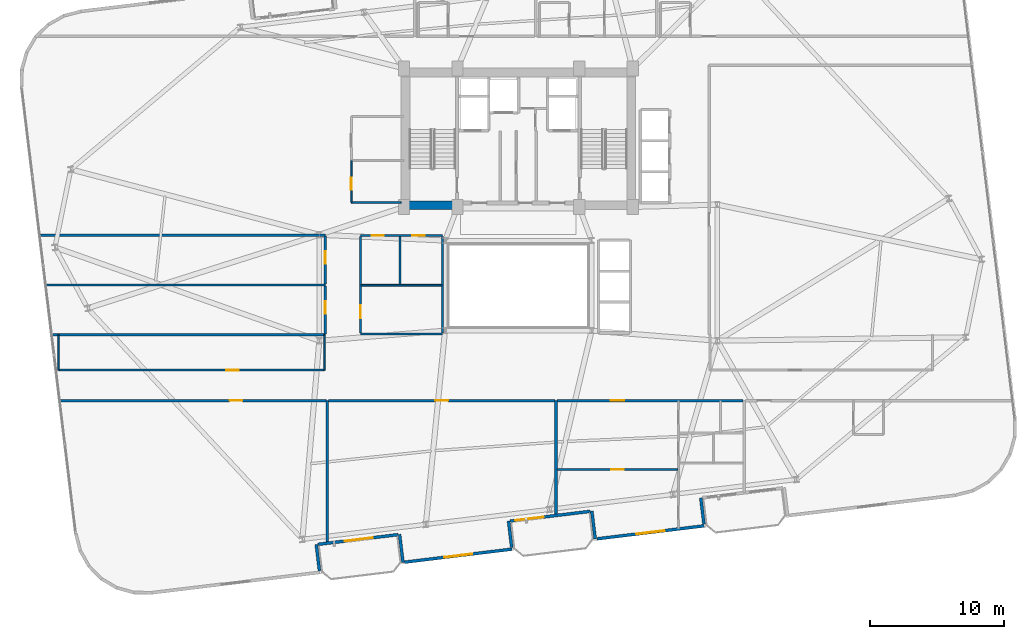
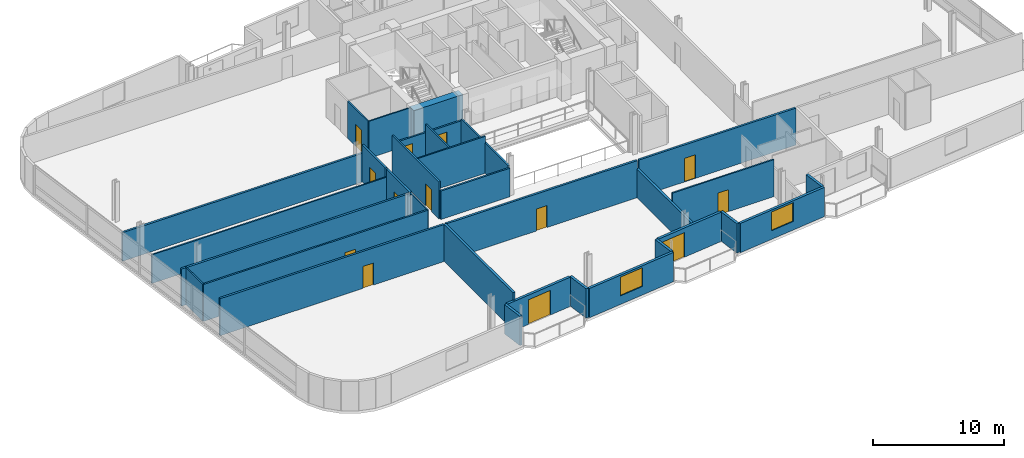
# One storey, part 14 of 22: 32 walls, 13 doors, 2 windows, 15 openings.
"""IFC4 building model written with IfcOpenShell, lengths in metres."""

from ifc_helpers import new_model, si_unit, direction, frame, frame_2d, origin, place, context, subcontext, project, spatial, rectangle, extrude, material, layer, layer_set, type_object, element, fill, save


model = new_model("IFC4")

# Units and contexts
model_context = context("Model", 3, precision=1e-05, world=origin(), true_north=direction((0.0, 1.0)))
body_context = subcontext(model_context, "Body", "Model", "MODEL_VIEW")
ifc_project = project(units=[si_unit("LENGTHUNIT", "METRE"), si_unit("AREAUNIT", "SQUARE_METRE"), si_unit("VOLUMEUNIT", "CUBIC_METRE"), si_unit("PLANEANGLEUNIT", "RADIAN"), si_unit("MASSUNIT", "GRAM", prefix="KILO")], contexts=[model_context])

# Site, building, storey
site_placement = place(None, origin())
site = spatial("IfcSite", under=ifc_project, at=site_placement, CompositionType="ELEMENT")
building_placement = place(site_placement, origin())
building = spatial("IfcBuilding", under=site, at=building_placement, Name="Varnelok Gate Tower", CompositionType="ELEMENT")
storey_placement = place(building_placement, frame((0.0, 0.0, 178.300048828125)))
storey = spatial("IfcBuildingStorey", under=building, at=storey_placement, Name="L45", CompositionType="ELEMENT", Elevation=178.300048828125)

# Wall, opening, door
ifc_material_1 = material(Name="Concrete C45/55", Category="concrete")
ifc_layer_1 = layer(ifc_material_1, 0.219970703125)
ifc_layer_set_1 = layer_set([ifc_layer_1], Name="Concrete C45/55")
wall_type_1 = type_object("IfcWallType", Name="EW-BALC-220", PredefinedType="SOLIDWALL", material=ifc_layer_set_1)
wall_1_placement = place(storey_placement, frame((30.25244140625, 4.381103515625, 0.0), z_axis=(0.0, 0.0, 1.0), x_axis=(-0.992735402148, -0.120318000826, 0.0)))
wall_1 = element("IfcWall", 1, at=wall_1_placement, inside=storey, type_object=wall_type_1, Name="L45 South Terrace Envelope Wall 1", PredefinedType="SOLIDWALL", context=body_context, shape_type="SweptSolid", body=[
    extrude(rectangle(XDim=6.000244140625, YDim=0.219970703125, at=frame_2d((3.0, 0.0))), origin(), (0.0, 0.0, 1.0), 2.72998046875),
])
opening_1_placement = place(wall_1_placement, frame((1.887939453125, 0.0, 0.0)))
opening_1 = element("IfcOpeningElement", 2, at=opening_1_placement, cuts=wall_1, Name="Opening BD-2", PredefinedType="OPENING", context=body_context, shape_type="SweptSolid", body=[
    extrude(rectangle(XDim=2.10009765625, YDim=2.300048828125, at=frame_2d((1.050048828125, 1.14990234375))), frame((0.0, 0.119873046875, 0.0), z_axis=(0.0, -1.0, 0.0), x_axis=(1.0, 0.0, 0.0)), (0.0, 0.0, 1.0), 0.239990234375),
])
ifc_material_2 = material(Name="Anodized Aluminum Alloy 6063-T6", Category="aluminium")
door_type_1 = type_object("IfcDoorType", Name="DR-EXT-SLID2100", OperationType="SLIDING_TO_LEFT", PredefinedType="DOOR", material=ifc_material_2)
door_1_placement = place(opening_1_placement, origin())
door_1 = element("IfcDoor", 3, at=door_1_placement, inside=storey, type_object=door_type_1, Name="L45 South Balcony Glazed Door 1", OperationType="SLIDING_TO_LEFT", OverallHeight=2.300048828125, OverallWidth=2.10009765625, PredefinedType="DOOR", context=body_context, shape_type="SweptSolid", body=[
    extrude(rectangle(XDim=2.10009765625, YDim=2.300048828125, at=frame_2d((1.050048828125, 1.14990234375))), frame((0.0, 0.02490234375, 0.0), z_axis=(0.0, -1.0, 0.0), x_axis=(1.0, 0.0, 0.0)), (0.0, 0.0, 1.0), 0.050048828125),
])
fill(opening_1, door_1)

wall_2_placement = place(storey_placement, frame((44.5478515625, 6.114013671875, 0.0), z_axis=(0.0, 0.0, 1.0), x_axis=(-0.992735402148, -0.120318000826, 0.0)))
wall_2 = element("IfcWall", 4, at=wall_2_placement, inside=storey, type_object=wall_type_1, Name="L45 South Terrace Envelope Wall 2", PredefinedType="SOLIDWALL", context=body_context, shape_type="SweptSolid", body=[
    extrude(rectangle(XDim=6.000244140625, YDim=0.219970703125, at=frame_2d((3.0, 0.0))), origin(), (0.0, 0.0, 1.0), 2.72998046875),
])
opening_2_placement = place(wall_2_placement, frame((3.5, 0.0, 0.0)))
opening_2 = element("IfcOpeningElement", 5, at=opening_2_placement, cuts=wall_2, Name="Opening BD-2", PredefinedType="OPENING", context=body_context, shape_type="SweptSolid", body=[
    extrude(rectangle(XDim=2.10009765625, YDim=2.300048828125, at=frame_2d((1.050048828125, 1.14990234375))), frame((0.0, 0.119873046875, 0.0), z_axis=(0.0, -1.0, 0.0), x_axis=(1.0, 0.0, 0.0)), (0.0, 0.0, 1.0), 0.239990234375),
])
door_2_placement = place(opening_2_placement, origin())
door_2 = element("IfcDoor", 6, at=door_2_placement, inside=storey, type_object=door_type_1, Name="L45 South Balcony Glazed Door 2", OperationType="SLIDING_TO_LEFT", OverallHeight=2.300048828125, OverallWidth=2.10009765625, PredefinedType="DOOR", context=body_context, shape_type="SweptSolid", body=[
    extrude(rectangle(XDim=2.10009765625, YDim=2.300048828125, at=frame_2d((1.050048828125, 1.14990234375))), frame((0.0, 0.02490234375, 0.0), z_axis=(0.0, -1.0, 0.0), x_axis=(1.0, 0.0, 0.0)), (0.0, 0.0, 1.0), 0.050048828125),
])
fill(opening_2, door_2)

# Walls
wall_3_placement = place(storey_placement, frame((24.413330078125, 1.694091796875, 0.0), z_axis=(0.0, 0.0, 1.0), x_axis=(-0.120290754542, 0.992738703976, 0.0)))
element("IfcWall", 7, at=wall_3_placement, inside=storey, type_object=wall_type_1, Name="L45 Perimeter Facade Closure Wall 8", PredefinedType="SOLIDWALL", context=body_context, shape_type="SweptSolid", body=[
    extrude(rectangle(XDim=1.974853515625, YDim=0.219970703125, at=frame_2d((0.9873046875, 0.0))), origin(), (0.0, 0.0, 1.0), 2.72998046875),
])
wall_4_placement = place(storey_placement, frame((30.370361328125, 4.405517578125, 0.0), z_axis=(0.0, 0.0, 1.0), x_axis=(0.120327895535, -0.992734202874, 0.0)))
element("IfcWall", 8, at=wall_4_placement, inside=storey, type_object=wall_type_1, Name="L45 Perimeter Facade Closure Wall 9", PredefinedType="SOLIDWALL", context=body_context, shape_type="SweptSolid", body=[
    extrude(rectangle(XDim=2.099853515625, YDim=0.219970703125, at=frame_2d((1.0498046875, 0.0))), origin(), (0.0, 0.0, 1.0), 2.72998046875),
])

# Wall, opening, window
wall_5_placement = place(storey_placement, frame((30.747314453125, 2.335693359375, 0.0), z_axis=(0.0, 0.0, 1.0), x_axis=(0.992731032022, 0.120354052946, 0.0)))
wall_5 = element("IfcWall", 9, at=wall_5_placement, inside=storey, type_object=wall_type_1, Name="L45 Perimeter Facade Closure Wall 10", PredefinedType="SOLIDWALL", context=body_context, shape_type="SweptSolid", body=[
    extrude(rectangle(XDim=8.034912109375, YDim=0.219970703125, at=frame_2d((4.017578125, 0.0))), origin(), (0.0, 0.0, 1.0), 2.72998046875),
])
opening_3_placement = place(wall_5_placement, frame((2.967529296875, 0.0, 0.800048828125)))
opening_3 = element("IfcOpeningElement", 10, at=opening_3_placement, cuts=wall_5, Name="Opening WN4", PredefinedType="OPENING", context=body_context, shape_type="SweptSolid", body=[
    extrude(rectangle(XDim=2.10009765625, YDim=1.75, at=frame_2d((1.050048828125, 0.875))), frame((0.0, 0.119873046875, 0.0), z_axis=(0.0, -1.0, 0.0), x_axis=(1.0, 0.0, 0.0)), (0.0, 0.0, 1.0), 0.239990234375),
])
ifc_material_3 = material(Name="Low-E Laminated Double Glazing IGU", Category="glass")
window_type = type_object("IfcWindowType", Name="WN-SUI-2100", PartitioningType="SINGLE_PANEL", PredefinedType="WINDOW", material=ifc_material_3)
window_1_placement = place(opening_3_placement, origin())
window_1 = element("IfcWindow", 11, at=window_1_placement, inside=storey, type_object=window_type, Name="L45 Perimeter Vision Window 10", OverallHeight=1.75, OverallWidth=2.10009765625, PartitioningType="SINGLE_PANEL", PredefinedType="WINDOW", context=body_context, shape_type="SweptSolid", body=[
    extrude(rectangle(XDim=2.10009765625, YDim=1.75, at=frame_2d((1.050048828125, 0.875))), frame((0.0, 0.030029296875, 0.0), z_axis=(0.0, -1.0, 0.0), x_axis=(1.0, 0.0, 0.0)), (0.0, 0.0, 1.0), 0.06005859375),
])
fill(opening_3, window_1)

# Walls
wall_6_placement = place(storey_placement, frame((38.708740234375, 3.427001953125, 0.0), z_axis=(0.0, 0.0, 1.0), x_axis=(-0.120397815541, 0.992725725472, 0.0)))
element("IfcWall", 12, at=wall_6_placement, inside=storey, type_object=wall_type_1, Name="L45 Perimeter Facade Closure Wall 11", PredefinedType="SOLIDWALL", context=body_context, shape_type="SweptSolid", body=[
    extrude(rectangle(XDim=1.97509765625, YDim=0.219970703125, at=frame_2d((0.987548828125, 0.0))), origin(), (0.0, 0.0, 1.0), 2.72998046875),
])
wall_7_placement = place(storey_placement, frame((44.665771484375, 6.138427734375, 0.0), z_axis=(0.0, 0.0, 1.0), x_axis=(0.120327895535, -0.992734202874, 0.0)))
element("IfcWall", 13, at=wall_7_placement, inside=storey, type_object=wall_type_1, Name="L45 Perimeter Facade Closure Wall 12", PredefinedType="SOLIDWALL", context=body_context, shape_type="SweptSolid", body=[
    extrude(rectangle(XDim=2.099853515625, YDim=0.219970703125, at=frame_2d((1.0498046875, 0.0))), origin(), (0.0, 0.0, 1.0), 2.72998046875),
])

# Wall, opening, window
wall_8_placement = place(storey_placement, frame((45.04248046875, 4.06884765625, 0.0), z_axis=(0.0, 0.0, 1.0), x_axis=(0.992731032022, 0.120354052946, 0.0)))
wall_8 = element("IfcWall", 14, at=wall_8_placement, inside=storey, type_object=wall_type_1, Name="L45 Perimeter Facade Closure Wall 13", PredefinedType="SOLIDWALL", context=body_context, shape_type="SweptSolid", body=[
    extrude(rectangle(XDim=8.034912109375, YDim=0.219970703125, at=frame_2d((4.017578125, 0.0))), origin(), (0.0, 0.0, 1.0), 2.72998046875),
])
opening_4_placement = place(wall_8_placement, frame((2.967529296875, 0.0, 0.800048828125)))
opening_4 = element("IfcOpeningElement", 15, at=opening_4_placement, cuts=wall_8, Name="Opening WN4", PredefinedType="OPENING", context=body_context, shape_type="SweptSolid", body=[
    extrude(rectangle(XDim=2.10009765625, YDim=1.75, at=frame_2d((1.050048828125, 0.875))), frame((0.0, 0.119873046875, 0.0), z_axis=(0.0, -1.0, 0.0), x_axis=(1.0, 0.0, 0.0)), (0.0, 0.0, 1.0), 0.239990234375),
])
window_2_placement = place(opening_4_placement, origin())
window_2 = element("IfcWindow", 16, at=window_2_placement, inside=storey, type_object=window_type, Name="L45 Perimeter Vision Window 13", OverallHeight=1.75, OverallWidth=2.10009765625, PartitioningType="SINGLE_PANEL", PredefinedType="WINDOW", context=body_context, shape_type="SweptSolid", body=[
    extrude(rectangle(XDim=2.10009765625, YDim=1.75, at=frame_2d((1.050048828125, 0.875))), frame((0.0, 0.030029296875, 0.0), z_axis=(0.0, -1.0, 0.0), x_axis=(1.0, 0.0, 0.0)), (0.0, 0.0, 1.0), 0.06005859375),
])
fill(opening_4, window_2)

# Wall
wall_9_placement = place(storey_placement, frame((53.004150390625, 5.159912109375, 0.0), z_axis=(0.0, 0.0, 1.0), x_axis=(-0.120397815541, 0.992725725472, 0.0)))
element("IfcWall", 17, at=wall_9_placement, inside=storey, type_object=wall_type_1, Name="L45 Perimeter Facade Closure Wall 14", PredefinedType="SOLIDWALL", context=body_context, shape_type="SweptSolid", body=[
    extrude(rectangle(XDim=1.97509765625, YDim=0.219970703125, at=frame_2d((0.987548828125, 0.0))), origin(), (0.0, 0.0, 1.0), 2.72998046875),
])

# Wall, opening, door
ifc_material_4 = material(Name="Gypsum Plasterboard Acoustic Partition", Category="gypsum")
ifc_layer_2 = layer(ifc_material_4, 0.179931640625)
ifc_layer_set_2 = layer_set([ifc_layer_2], Name="Gypsum Plasterboard Acoustic Partition")
wall_type_2 = type_object("IfcWallType", Name="PW-CORR-180", PredefinedType="PARTITIONING", material=ifc_layer_set_2)
wall_10_placement = place(storey_placement, frame((5.14990234375, 14.35009765625, 0.0), z_axis=(0.0, 0.0, 1.0), x_axis=(1.0, 0.0, 0.0)))
wall_10 = element("IfcWall", 18, at=wall_10_placement, inside=storey, type_object=wall_type_2, Name="Interior Partition", PredefinedType="PARTITIONING", context=body_context, shape_type="SweptSolid", body=[
    extrude(rectangle(XDim=19.77001953125, YDim=0.179931640625, at=frame_2d((9.885009765625, 0.0))), origin(), (0.0, 0.0, 1.0), 3.449951171875),
])
opening_5_placement = place(wall_10_placement, frame((12.574951171875, 0.0, 0.0)))
opening_5 = element("IfcOpeningElement", 19, at=opening_5_placement, cuts=wall_10, Name="Opening D-I2", PredefinedType="OPENING", context=body_context, shape_type="SweptSolid", body=[
    extrude(rectangle(XDim=0.949951171875, YDim=2.050048828125, at=frame_2d((0.47509765625, 1.02490234375))), frame((0.0, 0.099853515625, 0.0), z_axis=(0.0, -1.0, 0.0), x_axis=(1.0, 0.0, 0.0)), (0.0, 0.0, 1.0), 0.199951171875),
])
ifc_material_5 = material(Name="Engineered Hardwood Timber", Category="wood")
door_type_2 = type_object("IfcDoorType", Name="DR-INT-950", OperationType="NOTDEFINED", PredefinedType="DOOR", material=ifc_material_5)
door_3_placement = place(opening_5_placement, origin())
door_3 = element("IfcDoor", 20, at=door_3_placement, inside=storey, type_object=door_type_2, Name="L45 Private Owners Horizon Club Door", OperationType="SINGLE_SWING_LEFT", OverallHeight=2.050048828125, OverallWidth=0.949951171875, PredefinedType="DOOR", context=body_context, shape_type="SweptSolid", body=[
    extrude(rectangle(XDim=0.949951171875, YDim=2.050048828125, at=frame_2d((0.47509765625, 1.02490234375))), frame((0.0, 0.02490234375, 0.0), z_axis=(0.0, -1.0, 0.0), x_axis=(1.0, 0.0, 0.0)), (0.0, 0.0, 1.0), 0.050048828125),
])
fill(opening_5, door_3)

wall_11_placement = place(storey_placement, frame((25.080078125, 14.35009765625, 0.0), z_axis=(0.0, 0.0, 1.0), x_axis=(1.0, 0.0, 0.0)))
wall_11 = element("IfcWall", 21, at=wall_11_placement, inside=storey, type_object=wall_type_2, Name="Interior Partition", PredefinedType="PARTITIONING", context=body_context, shape_type="SweptSolid", body=[
    extrude(rectangle(XDim=16.83984375, YDim=0.179931640625, at=frame_2d((8.419921875, 0.0))), origin(), (0.0, 0.0, 1.0), 3.449951171875),
])
opening_6_placement = place(wall_11_placement, frame((7.945068359375, 0.0, 0.0)))
opening_6 = element("IfcOpeningElement", 22, at=opening_6_placement, cuts=wall_11, Name="Opening D-I2", PredefinedType="OPENING", context=body_context, shape_type="SweptSolid", body=[
    extrude(rectangle(XDim=0.949951171875, YDim=2.050048828125, at=frame_2d((0.47509765625, 1.02490234375))), frame((0.0, 0.099853515625, 0.0), z_axis=(0.0, -1.0, 0.0), x_axis=(1.0, 0.0, 0.0)), (0.0, 0.0, 1.0), 0.199951171875),
])
door_4_placement = place(opening_6_placement, origin())
door_4 = element("IfcDoor", 23, at=door_4_placement, inside=storey, type_object=door_type_2, Name="L45 Sky Library Door", OperationType="SINGLE_SWING_LEFT", OverallHeight=2.050048828125, OverallWidth=0.949951171875, PredefinedType="DOOR", context=body_context, shape_type="SweptSolid", body=[
    extrude(rectangle(XDim=0.949951171875, YDim=2.050048828125, at=frame_2d((0.47509765625, 1.02490234375))), frame((0.0, 0.02490234375, 0.0), z_axis=(0.0, -1.0, 0.0), x_axis=(1.0, 0.0, 0.0)), (0.0, 0.0, 1.0), 0.050048828125),
])
fill(opening_6, door_4)

wall_12_placement = place(storey_placement, frame((42.080078125, 14.35009765625, 0.0), z_axis=(0.0, 0.0, 1.0), x_axis=(1.0, 0.0, 0.0)))
wall_12 = element("IfcWall", 24, at=wall_12_placement, inside=storey, type_object=wall_type_2, Name="Interior Partition", PredefinedType="PARTITIONING", context=body_context, shape_type="SweptSolid", body=[
    extrude(rectangle(XDim=13.83984375, YDim=0.179931640625, at=frame_2d((6.919921875, 0.0))), origin(), (0.0, 0.0, 1.0), 3.449951171875),
])
opening_7_placement = place(wall_12_placement, frame((3.985107421875, 0.0, 0.0)))
opening_7 = element("IfcOpeningElement", 25, at=opening_7_placement, cuts=wall_12, Name="Opening D-AP", PredefinedType="OPENING", context=body_context, shape_type="SweptSolid", body=[
    extrude(rectangle(XDim=1.0, YDim=2.199951171875, at=frame_2d((0.5, 1.10009765625))), frame((0.0, 0.099853515625, 0.0), z_axis=(0.0, -1.0, 0.0), x_axis=(1.0, 0.0, 0.0)), (0.0, 0.0, 1.0), 0.199951171875),
])
door_type_3 = type_object("IfcDoorType", Name="DR-APT-1000", OperationType="NOTDEFINED", PredefinedType="DOOR", material=ifc_material_5)
door_5_placement = place(opening_7_placement, origin())
door_5 = element("IfcDoor", 26, at=door_5_placement, inside=storey, type_object=door_type_3, Name="L45 Apartment 3 Entrance Door", OperationType="SINGLE_SWING_RIGHT", OverallHeight=2.199951171875, OverallWidth=1.0, PredefinedType="DOOR", context=body_context, shape_type="SweptSolid", body=[
    extrude(rectangle(XDim=1.0, YDim=2.199951171875, at=frame_2d((0.5, 1.10009765625))), frame((0.0, 0.02490234375, 0.0), z_axis=(0.0, -1.0, 0.0), x_axis=(1.0, 0.0, 0.0)), (0.0, 0.0, 1.0), 0.050048828125),
])
fill(opening_7, door_5)

wall_13_placement = place(storey_placement, frame((24.85009765625, 19.300048828125, 0.0), z_axis=(0.0, 0.0, 1.0), x_axis=(0.0, 1.0, 0.0)))
wall_13 = element("IfcWall", 27, at=wall_13_placement, inside=storey, type_object=wall_type_2, Name="Interior Partition", PredefinedType="PARTITIONING", context=body_context, shape_type="SweptSolid", body=[
    extrude(rectangle(XDim=3.570068359375, YDim=0.179931640625, at=frame_2d((1.78515625, 0.0))), origin(), (0.0, 0.0, 1.0), 3.449951171875),
])
opening_8_placement = place(wall_13_placement, frame((1.49951171875, 0.0, 0.0)))
opening_8 = element("IfcOpeningElement", 28, at=opening_8_placement, cuts=wall_13, Name="Opening D-I3", PredefinedType="OPENING", context=body_context, shape_type="SweptSolid", body=[
    extrude(rectangle(XDim=0.919921875, YDim=2.050048828125, at=frame_2d((0.4599609375, 1.02490234375))), frame((0.0, 0.099853515625, 0.0), z_axis=(0.0, -1.0, 0.0), x_axis=(1.0, 0.0, 0.0)), (0.0, 0.0, 1.0), 0.199951171875),
])
door_type_4 = type_object("IfcDoorType", Name="DR-INT-920", OperationType="NOTDEFINED", PredefinedType="DOOR", material=ifc_material_5)
door_6_placement = place(opening_8_placement, origin())
door_6 = element("IfcDoor", 29, at=door_6_placement, inside=storey, type_object=door_type_4, Name="L45 West Wing Room 1 Door", OperationType="SINGLE_SWING_LEFT", OverallHeight=2.050048828125, OverallWidth=0.919921875, PredefinedType="DOOR", context=body_context, shape_type="SweptSolid", body=[
    extrude(rectangle(XDim=0.919921875, YDim=2.050048828125, at=frame_2d((0.4599609375, 1.02490234375))), frame((0.0, 0.02490234375, 0.0), z_axis=(0.0, -1.0, 0.0), x_axis=(1.0, 0.0, 0.0)), (0.0, 0.0, 1.0), 0.050048828125),
])
fill(opening_8, door_6)

wall_14_placement = place(storey_placement, frame((24.85009765625, 23.030029296875, 0.0), z_axis=(0.0, 0.0, 1.0), x_axis=(0.0, 1.0, 0.0)))
wall_14 = element("IfcWall", 30, at=wall_14_placement, inside=storey, type_object=wall_type_2, Name="Interior Partition", PredefinedType="PARTITIONING", context=body_context, shape_type="SweptSolid", body=[
    extrude(rectangle(XDim=3.570068359375, YDim=0.179931640625, at=frame_2d((1.78515625, 0.0))), origin(), (0.0, 0.0, 1.0), 3.449951171875),
])
opening_9_placement = place(wall_14_placement, frame((1.49951171875, 0.0, 0.0)))
opening_9 = element("IfcOpeningElement", 31, at=opening_9_placement, cuts=wall_14, Name="Opening D-I3", PredefinedType="OPENING", context=body_context, shape_type="SweptSolid", body=[
    extrude(rectangle(XDim=0.919921875, YDim=2.050048828125, at=frame_2d((0.4599609375, 1.02490234375))), frame((0.0, 0.099853515625, 0.0), z_axis=(0.0, -1.0, 0.0), x_axis=(1.0, 0.0, 0.0)), (0.0, 0.0, 1.0), 0.199951171875),
])
door_7_placement = place(opening_9_placement, origin())
door_7 = element("IfcDoor", 32, at=door_7_placement, inside=storey, type_object=door_type_4, Name="L45 West Wing Room 2 Door", OperationType="SINGLE_SWING_RIGHT", OverallHeight=2.050048828125, OverallWidth=0.919921875, PredefinedType="DOOR", context=body_context, shape_type="SweptSolid", body=[
    extrude(rectangle(XDim=0.919921875, YDim=2.050048828125, at=frame_2d((0.4599609375, 1.02490234375))), frame((0.0, 0.02490234375, 0.0), z_axis=(0.0, -1.0, 0.0), x_axis=(1.0, 0.0, 0.0)), (0.0, 0.0, 1.0), 0.050048828125),
])
fill(opening_9, door_7)

# Walls
wall_15_placement = place(storey_placement, frame((4.55712890625, 19.239990234375, 0.0), z_axis=(0.0, 0.0, 1.0), x_axis=(1.0, 0.0, 0.0)))
element("IfcWall", 33, at=wall_15_placement, inside=storey, type_object=wall_type_2, Name="Interior Partition", PredefinedType="PARTITIONING", context=body_context, shape_type="SweptSolid", body=[
    extrude(rectangle(XDim=20.29296875, YDim=0.179931640625, at=frame_2d((10.146484375, 0.0))), origin(), (0.0, 0.0, 1.0), 3.449951171875),
])
wall_16_placement = place(storey_placement, frame((3.65771484375, 26.659912109375, 0.0), z_axis=(0.0, 0.0, 1.0), x_axis=(1.0, 0.0, 0.0)))
element("IfcWall", 34, at=wall_16_placement, inside=storey, type_object=wall_type_2, Name="Interior Partition", PredefinedType="PARTITIONING", context=body_context, shape_type="SweptSolid", body=[
    extrude(rectangle(XDim=21.1923828125, YDim=0.179931640625, at=frame_2d((10.59619140625, 0.0))), origin(), (0.0, 0.0, 1.0), 2.661865234375),
])
ifc_layer_3 = layer(ifc_material_4, 0.114990234375)
ifc_layer_set_3 = layer_set([ifc_layer_3], Name="Gypsum Plasterboard Acoustic Partition")
wall_type_3 = type_object("IfcWallType", Name="PW-ENS-125", PredefinedType="PARTITIONING", material=ifc_layer_set_3)
wall_17_placement = place(storey_placement, frame((26.780029296875, 29.080078125, 0.0), z_axis=(0.0, 0.0, 1.0), x_axis=(1.0, 0.0, 0.0)))
element("IfcWall", 35, at=wall_17_placement, inside=storey, type_object=wall_type_3, Name="Interior Partition", PredefinedType="PARTITIONING", context=body_context, shape_type="SweptSolid", body=[
    extrude(rectangle(XDim=3.699951171875, YDim=0.114990234375, at=frame_2d((1.85009765625, 0.0))), origin(), (0.0, 0.0, 1.0), 3.449951171875),
])

# Wall, opening, door
wall_18_placement = place(storey_placement, frame((26.780029296875, 29.080078125, 0.0), z_axis=(0.0, 0.0, 1.0), x_axis=(0.0, 1.0, 0.0)))
wall_18 = element("IfcWall", 36, at=wall_18_placement, inside=storey, type_object=wall_type_3, Name="Interior Partition", PredefinedType="PARTITIONING", context=body_context, shape_type="SweptSolid", body=[
    extrude(rectangle(XDim=3.10986328125, YDim=0.114990234375, at=frame_2d((1.554931640625, 0.0))), origin(), (0.0, 0.0, 1.0), 3.449951171875),
])
opening_10_placement = place(wall_18_placement, frame((0.949951171875, 0.0, 0.0)))
opening_10 = element("IfcOpeningElement", 37, at=opening_10_placement, cuts=wall_18, Name="Opening D-WC", PredefinedType="OPENING", context=body_context, shape_type="SweptSolid", body=[
    extrude(rectangle(XDim=0.89990234375, YDim=2.050048828125, at=frame_2d((0.449951171875, 1.02490234375))), frame((0.0, 0.0673828125, 0.0), z_axis=(0.0, -1.0, 0.0), x_axis=(1.0, 0.0, 0.0)), (0.0, 0.0, 1.0), 0.135009765625),
])
door_type_5 = type_object("IfcDoorType", Name="DR-BATH-900", OperationType="NOTDEFINED", PredefinedType="DOOR", material=ifc_material_5)
door_8_placement = place(opening_10_placement, origin())
door_8 = element("IfcDoor", 38, at=door_8_placement, inside=storey, type_object=door_type_5, Name="L45 Core Floor WC Door", OperationType="SINGLE_SWING_LEFT", OverallHeight=2.050048828125, OverallWidth=0.89990234375, PredefinedType="DOOR", context=body_context, shape_type="SweptSolid", body=[
    extrude(rectangle(XDim=0.89990234375, YDim=2.050048828125, at=frame_2d((0.449951171875, 1.02490234375))), frame((0.0, 0.02490234375, 0.0), z_axis=(0.0, -1.0, 0.0), x_axis=(1.0, 0.0, 0.0)), (0.0, 0.0, 1.0), 0.050048828125),
])
fill(opening_10, door_8)

# Walls
ifc_layer_4 = layer(ifc_material_4, 0.125)
ifc_layer_set_4 = layer_set([ifc_layer_4], Name="Gypsum Plasterboard Acoustic Partition")
wall_type_4 = type_object("IfcWallType", Name="PW-PART-125", PredefinedType="PARTITIONING", material=ifc_layer_set_4)
for number, where, z_axis, x_axis, name in (
    (39, (5.0, 16.610107421875, 0.0), (0.0, 0.0, 1.0), (0.0, 1.0, 0.0), "Interior Partition"),
    (40, (24.800048828125, 16.610107421875, 0.0), (0.0, 0.0, 1.0), (0.0, 1.0, 0.0), "Interior Partition"),
):
    element("IfcWall", number, at=place(storey_placement, frame(where, z_axis=z_axis, x_axis=x_axis)), inside=storey, type_object=wall_type_4, Name=name, PredefinedType="PARTITIONING", context=body_context, shape_type="SweptSolid", body=[
        extrude(rectangle(XDim=2.6298828125, YDim=0.125, at=frame_2d((1.31494140625, 0.0))), origin(), (0.0, 0.0, 1.0), 3.449951171875),
    ])

# Wall, opening, door
wall_19_placement = place(storey_placement, frame((42.080078125, 9.22412109375, 0.0), z_axis=(0.0, 0.0, 1.0), x_axis=(1.0, 0.0, 0.0)))
wall_19 = element("IfcWall", 41, at=wall_19_placement, inside=storey, type_object=wall_type_4, Name="Interior Partition", PredefinedType="PARTITIONING", context=body_context, shape_type="SweptSolid", body=[
    extrude(rectangle(XDim=8.969970703125, YDim=0.125, at=frame_2d((4.48486328125, 0.0))), origin(), (0.0, 0.0, 1.0), 3.449951171875),
])
opening_11_placement = place(wall_19_placement, frame((4.03662109375, 0.0, 0.0)))
opening_11 = element("IfcOpeningElement", 42, at=opening_11_placement, cuts=wall_19, Name="Opening D-I3", PredefinedType="OPENING", context=body_context, shape_type="SweptSolid", body=[
    extrude(rectangle(XDim=0.919921875, YDim=2.050048828125, at=frame_2d((0.4599609375, 1.02490234375))), frame((0.0, 0.072509765625, 0.0), z_axis=(0.0, -1.0, 0.0), x_axis=(1.0, 0.0, 0.0)), (0.0, 0.0, 1.0), 0.14501953125),
])
door_9_placement = place(opening_11_placement, origin())
door_9 = element("IfcDoor", 43, at=door_9_placement, inside=storey, type_object=door_type_4, Name="L45 Apartment 3 Study Door", OperationType="SINGLE_SWING_LEFT", OverallHeight=2.050048828125, OverallWidth=0.919921875, PredefinedType="DOOR", context=body_context, shape_type="SweptSolid", body=[
    extrude(rectangle(XDim=0.919921875, YDim=2.050048828125, at=frame_2d((0.4599609375, 1.02490234375))), frame((0.0, 0.02490234375, 0.0), z_axis=(0.0, -1.0, 0.0), x_axis=(1.0, 0.0, 0.0)), (0.0, 0.0, 1.0), 0.050048828125),
])
fill(opening_11, door_9)

# Walls
wall_20_placement = place(storey_placement, frame((4.107421875, 22.949951171875, 0.0), z_axis=(0.0, 0.0, 1.0), x_axis=(1.0, 0.0, 0.0)))
element("IfcWall", 44, at=wall_20_placement, inside=storey, type_object=wall_type_4, Name="Interior Partition", PredefinedType="PARTITIONING", context=body_context, shape_type="SweptSolid", body=[
    extrude(rectangle(XDim=20.74267578125, YDim=0.125, at=frame_2d((10.371337890625, 0.0))), origin(), (0.0, 0.0, 1.0), 2.661865234375),
])
wall_21_placement = place(storey_placement, frame((27.52001953125, 22.929931640625, 0.0), z_axis=(0.0, 0.0, 1.0), x_axis=(1.0, 0.0, 0.0)))
element("IfcWall", 45, at=wall_21_placement, inside=storey, type_object=wall_type_4, Name="Interior Partition", PredefinedType="PARTITIONING", context=body_context, shape_type="SweptSolid", body=[
    extrude(rectangle(XDim=6.0, YDim=0.125, at=frame_2d((3.0, 0.0))), origin(), (0.0, 0.0, 1.0), 3.449951171875),
])
wall_22_placement = place(storey_placement, frame((30.39990234375, 23.0, 0.0), z_axis=(0.0, 0.0, 1.0), x_axis=(0.0, 1.0, 0.0)))
element("IfcWall", 46, at=wall_22_placement, inside=storey, type_object=wall_type_4, Name="Interior Partition", PredefinedType="PARTITIONING", context=body_context, shape_type="SweptSolid", body=[
    extrude(rectangle(XDim=3.5400390625, YDim=0.125, at=frame_2d((1.77001953125, 0.0))), origin(), (0.0, 0.0, 1.0), 3.449951171875),
])

# Wall, opening, door
ifc_layer_5 = layer(ifc_material_4, 0.14990234375)
ifc_layer_set_5 = layer_set([ifc_layer_5], Name="Gypsum Plasterboard Acoustic Partition")
wall_type_5 = type_object("IfcWallType", Name="PW-PART-150", PredefinedType="PARTITIONING", material=ifc_layer_set_5)
wall_23_placement = place(storey_placement, frame((5.0, 16.610107421875, 0.0), z_axis=(0.0, 0.0, 1.0), x_axis=(1.0, 0.0, 0.0)))
wall_23 = element("IfcWall", 47, at=wall_23_placement, inside=storey, type_object=wall_type_5, Name="Interior Partition", PredefinedType="PARTITIONING", context=body_context, shape_type="SweptSolid", body=[
    extrude(rectangle(XDim=19.800048828125, YDim=0.14990234375, at=frame_2d((9.89990234375, 0.0))), origin(), (0.0, 0.0, 1.0), 3.449951171875),
])
opening_12_placement = place(wall_23_placement, frame((12.485107421875, 0.0, 0.0)))
opening_12 = element("IfcOpeningElement", 48, at=opening_12_placement, cuts=wall_23, Name="Opening D-I3", PredefinedType="OPENING", context=body_context, shape_type="SweptSolid", body=[
    extrude(rectangle(XDim=0.919921875, YDim=2.050048828125, at=frame_2d((0.4599609375, 1.02490234375))), frame((0.0, 0.0849609375, 0.0), z_axis=(0.0, -1.0, 0.0), x_axis=(1.0, 0.0, 0.0)), (0.0, 0.0, 1.0), 0.169921875),
])
door_10_placement = place(opening_12_placement, origin())
door_10 = element("IfcDoor", 49, at=door_10_placement, inside=storey, type_object=door_type_4, Name="L45 Atrium Room 1 Door", OperationType="SINGLE_SWING_LEFT", OverallHeight=2.050048828125, OverallWidth=0.919921875, PredefinedType="DOOR", context=body_context, shape_type="SweptSolid", body=[
    extrude(rectangle(XDim=0.919921875, YDim=2.050048828125, at=frame_2d((0.4599609375, 1.02490234375))), frame((0.0, 0.02490234375, 0.0), z_axis=(0.0, -1.0, 0.0), x_axis=(1.0, 0.0, 0.0)), (0.0, 0.0, 1.0), 0.050048828125),
])
fill(opening_12, door_10)

# Wall
wall_24_placement = place(storey_placement, frame((27.4599609375, 19.300048828125, 0.0), z_axis=(0.0, 0.0, 1.0), x_axis=(1.0, 0.0, 0.0)))
element("IfcWall", 50, at=wall_24_placement, inside=storey, type_object=wall_type_5, Name="Interior Partition", PredefinedType="PARTITIONING", context=body_context, shape_type="SweptSolid", body=[
    extrude(rectangle(XDim=6.10009765625, YDim=0.14990234375, at=frame_2d((3.050048828125, 0.0))), origin(), (0.0, 0.0, 1.0), 2.661865234375),
])

# Wall, openings, doors
wall_25_placement = place(storey_placement, frame((27.4599609375, 26.6201171875, 0.0), z_axis=(0.0, 0.0, 1.0), x_axis=(1.0, 0.0, 0.0)))
wall_25 = element("IfcWall", 51, at=wall_25_placement, inside=storey, type_object=wall_type_5, Name="Interior Partition", PredefinedType="PARTITIONING", context=body_context, shape_type="SweptSolid", body=[
    extrude(rectangle(XDim=6.10009765625, YDim=0.14990234375, at=frame_2d((3.050048828125, 0.0))), origin(), (0.0, 0.0, 1.0), 2.661865234375),
])
opening_13_placement = place(wall_25_placement, frame((0.85009765625, 0.0, 0.0)))
opening_13 = element("IfcOpeningElement", 52, at=opening_13_placement, cuts=wall_25, Name="Opening D-WC", PredefinedType="OPENING", context=body_context, shape_type="SweptSolid", body=[
    extrude(rectangle(XDim=0.89990234375, YDim=2.050048828125, at=frame_2d((0.449951171875, 1.02490234375))), frame((0.0, 0.0849609375, 0.0), z_axis=(0.0, -1.0, 0.0), x_axis=(1.0, 0.0, 0.0)), (0.0, 0.0, 1.0), 0.169921875),
])
opening_14_placement = place(wall_25_placement, frame((3.85009765625, 0.0, 0.0)))
opening_14 = element("IfcOpeningElement", 53, at=opening_14_placement, cuts=wall_25, Name="Opening D-I3", PredefinedType="OPENING", context=body_context, shape_type="SweptSolid", body=[
    extrude(rectangle(XDim=0.919921875, YDim=2.050048828125, at=frame_2d((0.4599609375, 1.02490234375))), frame((0.0, 0.0849609375, 0.0), z_axis=(0.0, -1.0, 0.0), x_axis=(1.0, 0.0, 0.0)), (0.0, 0.0, 1.0), 0.169921875),
])
door_11_placement = place(opening_13_placement, origin())
door_11 = element("IfcDoor", 54, at=door_11_placement, inside=storey, type_object=door_type_5, Name="L45 Accessible Floor WC Door", OperationType="SINGLE_SWING_RIGHT", OverallHeight=2.050048828125, OverallWidth=0.89990234375, PredefinedType="DOOR", context=body_context, shape_type="SweptSolid", body=[
    extrude(rectangle(XDim=0.89990234375, YDim=2.050048828125, at=frame_2d((0.449951171875, 1.02490234375))), frame((0.0, 0.02490234375, 0.0), z_axis=(0.0, -1.0, 0.0), x_axis=(1.0, 0.0, 0.0)), (0.0, 0.0, 1.0), 0.050048828125),
])
fill(opening_13, door_11)
door_12_placement = place(opening_14_placement, origin())
door_12 = element("IfcDoor", 55, at=door_12_placement, inside=storey, type_object=door_type_4, Name="L45 Cleaner Supply Door", OperationType="SINGLE_SWING_LEFT", OverallHeight=2.050048828125, OverallWidth=0.919921875, PredefinedType="DOOR", context=body_context, shape_type="SweptSolid", body=[
    extrude(rectangle(XDim=0.919921875, YDim=2.050048828125, at=frame_2d((0.4599609375, 1.02490234375))), frame((0.0, 0.02490234375, 0.0), z_axis=(0.0, -1.0, 0.0), x_axis=(1.0, 0.0, 0.0)), (0.0, 0.0, 1.0), 0.050048828125),
])
fill(opening_14, door_12)

# Wall, opening, door
wall_26_placement = place(storey_placement, frame((27.4599609375, 19.3798828125, 0.0), z_axis=(0.0, 0.0, 1.0), x_axis=(0.0, 1.0, 0.0)))
wall_26 = element("IfcWall", 56, at=wall_26_placement, inside=storey, type_object=wall_type_5, Name="Interior Partition", PredefinedType="PARTITIONING", context=body_context, shape_type="SweptSolid", body=[
    extrude(rectangle(XDim=7.16015625, YDim=0.14990234375, at=frame_2d((3.580078125, 0.0))), origin(), (0.0, 0.0, 1.0), 3.449951171875),
])
opening_15_placement = place(wall_26_placement, frame((1.10009765625, 0.0, 0.0)))
opening_15 = element("IfcOpeningElement", 57, at=opening_15_placement, cuts=wall_26, Name="Opening D-I2", PredefinedType="OPENING", context=body_context, shape_type="SweptSolid", body=[
    extrude(rectangle(XDim=0.949951171875, YDim=2.050048828125, at=frame_2d((0.47509765625, 1.02490234375))), frame((0.0, 0.0849609375, 0.0), z_axis=(0.0, -1.0, 0.0), x_axis=(1.0, 0.0, 0.0)), (0.0, 0.0, 1.0), 0.169921875),
])
door_13_placement = place(opening_15_placement, origin())
door_13 = element("IfcDoor", 58, at=door_13_placement, inside=storey, type_object=door_type_2, Name="L45 Sky Library Door", OperationType="SINGLE_SWING_LEFT", OverallHeight=2.050048828125, OverallWidth=0.949951171875, PredefinedType="DOOR", context=body_context, shape_type="SweptSolid", body=[
    extrude(rectangle(XDim=0.949951171875, YDim=2.050048828125, at=frame_2d((0.47509765625, 1.02490234375))), frame((0.0, 0.02490234375, 0.0), z_axis=(0.0, -1.0, 0.0), x_axis=(1.0, 0.0, 0.0)), (0.0, 0.0, 1.0), 0.050048828125),
])
fill(opening_15, door_13)

# Walls
wall_27_placement = place(storey_placement, frame((33.56005859375, 19.3798828125, 0.0), z_axis=(0.0, 0.0, 1.0), x_axis=(0.0, 1.0, 0.0)))
element("IfcWall", 59, at=wall_27_placement, inside=storey, type_object=wall_type_5, Name="Interior Partition", PredefinedType="PARTITIONING", context=body_context, shape_type="SweptSolid", body=[
    extrude(rectangle(XDim=7.16015625, YDim=0.14990234375, at=frame_2d((3.580078125, 0.0))), origin(), (0.0, 0.0, 1.0), 2.823974609375),
])
ifc_layer_6 = layer(ifc_material_4, 0.205078125)
ifc_layer_set_6 = layer_set([ifc_layer_6], Name="Gypsum Plasterboard Acoustic Partition")
wall_type_6 = type_object("IfcWallType", Name="PW-PARTY-200", PredefinedType="PARTITIONING", material=ifc_layer_set_6)
wall_28_placement = place(storey_placement, frame((25.0, 3.774658203125, 0.0), z_axis=(0.0, 0.0, 1.0), x_axis=(0.0, 1.0, 0.0)))
element("IfcWall", 60, at=wall_28_placement, inside=storey, type_object=wall_type_6, Name="L45 South Party Wall 1", PredefinedType="PARTITIONING", context=body_context, shape_type="SweptSolid", body=[
    extrude(rectangle(XDim=10.575439453125, YDim=0.205078125, at=frame_2d((5.28759765625, 0.0))), origin(), (0.0, 0.0, 1.0), 3.449951171875),
])
wall_29_placement = place(storey_placement, frame((42.0, 5.83544921875, 0.0), z_axis=(0.0, 0.0, 1.0), x_axis=(0.0, 1.0, 0.0)))
element("IfcWall", 61, at=wall_29_placement, inside=storey, type_object=wall_type_6, Name="L45 South Party Wall 2", PredefinedType="PARTITIONING", context=body_context, shape_type="SweptSolid", body=[
    extrude(rectangle(XDim=8.5146484375, YDim=0.205078125, at=frame_2d((4.25732421875, 0.0))), origin(), (0.0, 0.0, 1.0), 2.661865234375),
])
ifc_material_6 = material(Name="Concrete C60/75", Category="concrete")
ifc_layer_7 = layer(ifc_material_6, 0.64990234375)
ifc_layer_set_7 = layer_set([ifc_layer_7], Name="Concrete C60/75")
wall_type_7 = type_object("IfcWallType", Name="SW-CORE-650", PredefinedType="SHEAR", material=ifc_layer_set_7)
wall_30_placement = place(storey_placement, frame((30.47998046875, 28.875, 0.0), z_axis=(0.0, 0.0, 1.0), x_axis=(1.0, 0.0, 0.0)))
element("IfcWall", 62, at=wall_30_placement, inside=storey, type_object=wall_type_7, Name="L45 Rear Core South-West Shear Wall", PredefinedType="SHEAR", context=body_context, shape_type="SweptSolid", body=[
    extrude(rectangle(XDim=4.320068359375, YDim=0.64990234375, at=frame_2d((2.16015625, 0.0))), origin(), (0.0, 0.0, 1.0), 3.449951171875),
])

save(model, "model.ifc")
